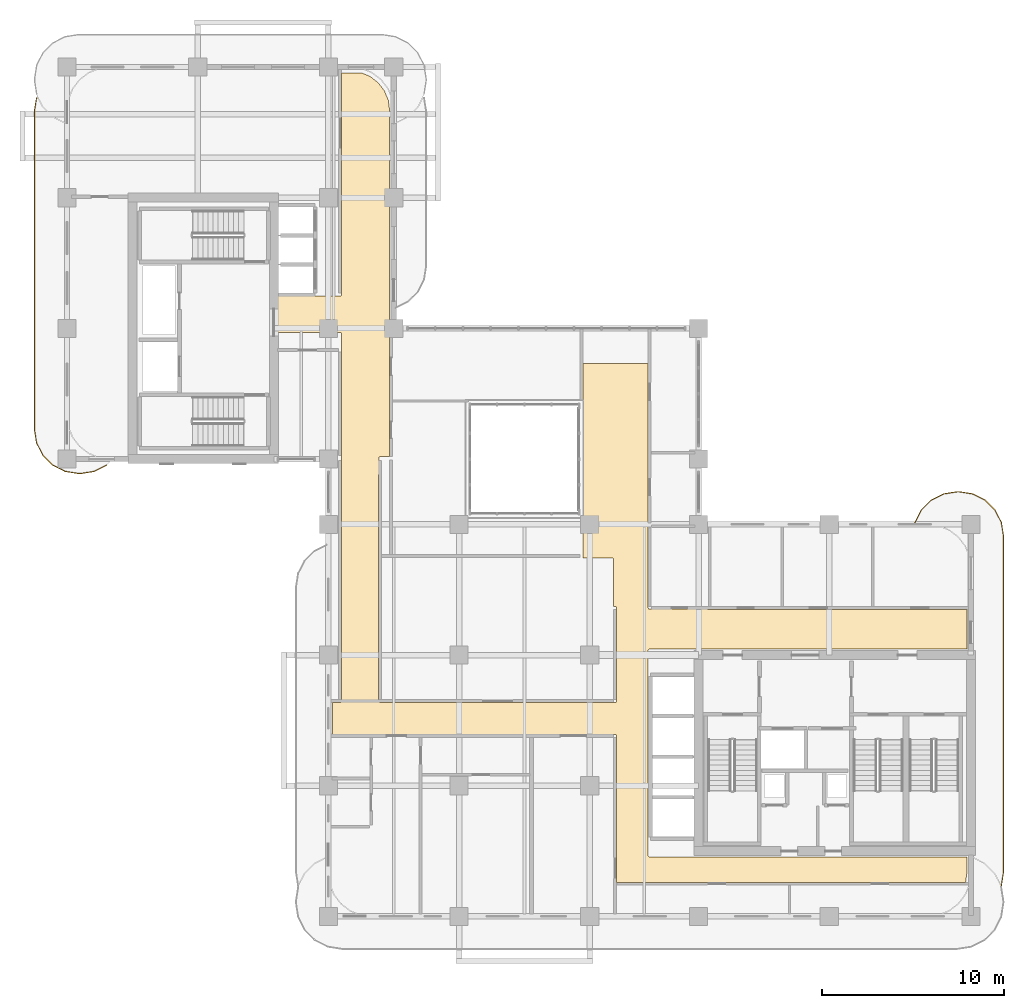
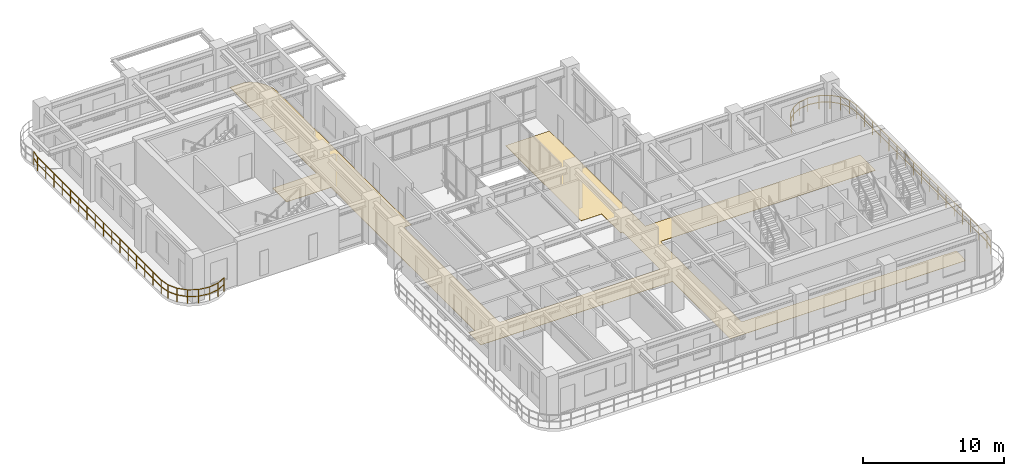
# One storey, part 18 of 19: 2 railings, 1 covering.
"""IFC4 building model written with IfcOpenShell, lengths in metres."""

from ifc_helpers import new_model, si_unit, derived_unit, direction, frame, origin, origin_2d, place, context, subcontext, project, spatial, polyline, rectangle, outline, extrude, material, layer, layer_set, type_object, element, save


model = new_model("IFC4")

# Units and contexts
model_context = context("Model", 3, precision=1e-05, world=origin(), true_north=direction((0.0, 1.0)))
body_context = subcontext(model_context, "Body", "Model", "MODEL_VIEW")
ifc_project = project(units=[si_unit("LENGTHUNIT", "METRE"), si_unit("AREAUNIT", "SQUARE_METRE"), si_unit("VOLUMEUNIT", "CUBIC_METRE"), si_unit("PLANEANGLEUNIT", "RADIAN"), si_unit("MASSUNIT", "GRAM", prefix="KILO"), si_unit("THERMODYNAMICTEMPERATUREUNIT", "KELVIN"), si_unit("POWERUNIT", "WATT"), derived_unit("THERMALTRANSMITTANCEUNIT", [(si_unit("POWERUNIT", "WATT"), 1), (si_unit("AREAUNIT", "SQUARE_METRE"), -1), (si_unit("THERMODYNAMICTEMPERATUREUNIT", "KELVIN"), -1)])], contexts=[model_context])

# Site, building, storey
site_placement = place(None, origin())
site = spatial("IfcSite", under=ifc_project, at=site_placement, CompositionType="ELEMENT")
building_placement = place(site_placement, origin())
building = spatial("IfcBuilding", under=site, at=building_placement, Name="Zahravan Archway Hotel and Residences", CompositionType="ELEMENT")
storey_placement = place(building_placement, frame((0.0, 0.0, 150.300048828125)))
storey = spatial("IfcBuildingStorey", under=building, at=storey_placement, Name="L37", CompositionType="ELEMENT", Elevation=150.300048828125)

# Covering
ifc_material_1 = material(Name="Engineered Walnut Parquet Flooring")
ifc_layer = layer(ifc_material_1, 0.02197265625, Name="Engineered Walnut Parquet Flooring")
ifc_layer_set = layer_set([ifc_layer], Name="Engineered Walnut Parquet Flooring")
covering_type = type_object("IfcCoveringType", Name="COV-FLR-TIMB", PredefinedType="FLOORING", material=ifc_layer_set)
covering_placement = place(storey_placement, origin())
element("IfcCovering", 1, at=covering_placement, inside=storey, type_object=covering_type, Name="L37 Circulation Floor Finish", PredefinedType="FLOORING", context=body_context, shape_type="SweptSolid", body=[
    extrude(outline(polyline([(32.09228515625, 14.7294921875), (32.04931640625, 14.7119140625), (32.0234375, 14.673095703125), (32.02001953125, 3.35009765625), (32.033447265625, 3.3056640625), (32.0693359375, 3.276123046875), (49.580078125, 3.27001953125), (49.580078125, 2.414306640625), (49.509521484375, 1.8798828125), (30.280029296875, 1.8798828125), (30.280029296875, 9.949951171875), (30.2666015625, 9.994384765625), (30.230712890625, 10.02392578125), (14.6201171875, 10.030029296875), (14.6201171875, 11.7900390625), (15.050048828125, 11.7900390625), (15.094482421875, 11.803466796875), (15.123779296875, 11.83935546875), (15.1298828125, 32.10009765625), (15.116455078125, 32.144287109375), (15.08056640625, 32.173828125), (11.530029296875, 32.179931640625), (11.530029296875, 34.169921875), (15.050048828125, 34.169921875), (15.094482421875, 34.18359375), (15.123779296875, 34.219482421875), (15.1298828125, 46.469970703125), (16.24560546875, 46.469970703125), (16.689208984375, 46.286376953125), (17.14013671875, 45.940185546875), (17.486328125, 45.489013671875), (17.703857421875, 44.9638671875), (17.77001953125, 44.46142578125), (17.77001953125, 25.330078125), (17.25, 25.330078125), (17.20556640625, 25.31640625), (17.176025390625, 25.280517578125), (17.169921875, 11.8701171875), (17.18359375, 11.82568359375), (17.219482421875, 11.796142578125), (30.199951171875, 11.7900390625), (30.244384765625, 11.803466796875), (30.27392578125, 11.83935546875), (30.280029296875, 17.0), (30.2666015625, 17.04443359375), (30.230712890625, 17.073974609375), (30.10009765625, 17.080078125), (30.10009765625, 19.719970703125), (30.072998046875, 19.75), (28.429931640625, 19.75), (28.429931640625, 30.469970703125), (32.02001953125, 30.469970703125), (32.02001953125, 17.0), (32.033447265625, 16.95556640625), (32.0693359375, 16.926025390625), (49.580078125, 16.919921875), (49.580078125, 14.72998046875), (32.10009765625, 14.72998046875), (32.09228515625, 14.7294921875)])), origin(), (0.0, 0.0, 1.0), 0.02197265625),
])

# Railings
ifc_material_2 = material(Name="Bronze & Laminated Glass Balustrade", Category="glass")
railing_type = type_object("IfcRailingType", Name="RL-BAL-1200", PredefinedType="BALUSTRADE", material=ifc_material_2)
railing_1_placement = place(storey_placement, frame((46.719970703125, 21.70703125, 0.0)))
element("IfcRailing", 2, at=railing_1_placement, inside=storey, type_object=railing_type, Name="L37 Balustrade RL-SLB-BAL-L37-EA-1", PredefinedType="BALUSTRADE", context=body_context, shape_type="SweptSolid", body=[
    extrude(rectangle(XDim=0.048095703125, YDim=0.048095703125, at=origin_2d()), frame((0.0, 0.0, 1.17578125), z_axis=(0.453825591531, 0.891090529897, 0.0), x_axis=(-0.891090529897, 0.453825591531, 0.0)), (0.0, 0.0, 1.0), 0.7666015625),
    extrude(rectangle(XDim=0.048095703125, YDim=0.048095703125, at=origin_2d()), frame((0.0, 0.0, 0.60009765625), z_axis=(0.453825591531, 0.891090529897, 0.0), x_axis=(-0.891090529897, 0.453825591531, 0.0)), (0.0, 0.0, 1.0), 0.7666015625),
    extrude(rectangle(XDim=0.048095703125, YDim=0.048095703125, at=origin_2d()), frame((0.347900390625, 0.68310546875, 1.17578125), z_axis=(0.707106781187, 0.707106781187, 0.0), x_axis=(-0.707106781187, 0.707106781187, 0.0)), (0.0, 0.0, 1.0), 0.7666015625),
    extrude(rectangle(XDim=0.048095703125, YDim=0.048095703125, at=origin_2d()), frame((0.347900390625, 0.68310546875, 0.60009765625), z_axis=(0.707106781187, 0.707106781187, 0.0), x_axis=(-0.707106781187, 0.707106781187, 0.0)), (0.0, 0.0, 1.0), 0.7666015625),
    extrude(rectangle(XDim=0.048095703125, YDim=0.048095703125, at=origin_2d()), frame((0.889892578125, 1.22509765625, 1.17578125), z_axis=(0.891090529897, 0.453825591531, 0.0), x_axis=(-0.453825591531, 0.891090529897, 0.0)), (0.0, 0.0, 1.0), 0.7666015625),
    extrude(rectangle(XDim=0.048095703125, YDim=0.048095703125, at=origin_2d()), frame((0.889892578125, 1.22509765625, 0.60009765625), z_axis=(0.891090529897, 0.453825591531, 0.0), x_axis=(-0.453825591531, 0.891090529897, 0.0)), (0.0, 0.0, 1.0), 0.7666015625),
    extrude(rectangle(XDim=0.048095703125, YDim=0.048095703125, at=origin_2d()), frame((1.572998046875, 1.572998046875, 1.17578125), z_axis=(0.987695728695, 0.156387811283, 0.0), x_axis=(-0.156387811283, 0.987695728695, 0.0)), (0.0, 0.0, 1.0), 0.7666015625),
    extrude(rectangle(XDim=0.048095703125, YDim=0.048095703125, at=origin_2d()), frame((1.572998046875, 1.572998046875, 0.60009765625), z_axis=(0.987695728695, 0.156387811283, 0.0), x_axis=(-0.156387811283, 0.987695728695, 0.0)), (0.0, 0.0, 1.0), 0.7666015625),
    extrude(rectangle(XDim=0.048095703125, YDim=0.048095703125, at=origin_2d()), frame((2.330078125, 1.69287109375, 1.17578125), z_axis=(1.0, 0.0, 0.0), x_axis=(0.0, 1.0, 0.0)), (0.0, 0.0, 1.0), 0.099853515625),
    extrude(rectangle(XDim=0.048095703125, YDim=0.048095703125, at=origin_2d()), frame((2.330078125, 1.69287109375, 0.60009765625), z_axis=(1.0, 0.0, 0.0), x_axis=(0.0, 1.0, 0.0)), (0.0, 0.0, 1.0), 0.099853515625),
    extrude(rectangle(XDim=0.048095703125, YDim=0.048095703125, at=origin_2d()), frame((2.429931640625, 1.69287109375, 1.17578125), z_axis=(0.987695728695, -0.156387811283, 0.0), x_axis=(0.156387811283, 0.987695728695, 0.0)), (0.0, 0.0, 1.0), 0.7666015625),
    extrude(rectangle(XDim=0.048095703125, YDim=0.048095703125, at=origin_2d()), frame((2.429931640625, 1.69287109375, 0.60009765625), z_axis=(0.987695728695, -0.156387811283, 0.0), x_axis=(0.156387811283, 0.987695728695, 0.0)), (0.0, 0.0, 1.0), 0.7666015625),
    extrude(rectangle(XDim=0.048095703125, YDim=0.048095703125, at=origin_2d()), frame((3.18701171875, 1.572998046875, 1.17578125), z_axis=(0.891090529897, -0.453825591531, 0.0), x_axis=(0.453825591531, 0.891090529897, 0.0)), (0.0, 0.0, 1.0), 0.7666015625),
    extrude(rectangle(XDim=0.048095703125, YDim=0.048095703125, at=origin_2d()), frame((3.18701171875, 1.572998046875, 0.60009765625), z_axis=(0.891090529897, -0.453825591531, 0.0), x_axis=(0.453825591531, 0.891090529897, 0.0)), (0.0, 0.0, 1.0), 0.7666015625),
    extrude(rectangle(XDim=0.048095703125, YDim=0.048095703125, at=origin_2d()), frame((3.8701171875, 1.22509765625, 1.17578125), z_axis=(0.707106781187, -0.707106781187, 0.0), x_axis=(0.707106781187, 0.707106781187, 0.0)), (0.0, 0.0, 1.0), 0.7666015625),
    extrude(rectangle(XDim=0.048095703125, YDim=0.048095703125, at=origin_2d()), frame((3.8701171875, 1.22509765625, 0.60009765625), z_axis=(0.707106781187, -0.707106781187, 0.0), x_axis=(0.707106781187, 0.707106781187, 0.0)), (0.0, 0.0, 1.0), 0.7666015625),
    extrude(rectangle(XDim=0.048095703125, YDim=0.048095703125, at=origin_2d()), frame((4.412109375, 0.68310546875, 1.17578125), z_axis=(0.453825591531, -0.891090529897, 0.0), x_axis=(0.891090529897, 0.453825591531, 0.0)), (0.0, 0.0, 1.0), 0.7666015625),
    extrude(rectangle(XDim=0.048095703125, YDim=0.048095703125, at=origin_2d()), frame((4.412109375, 0.68310546875, 0.60009765625), z_axis=(0.453825591531, -0.891090529897, 0.0), x_axis=(0.891090529897, 0.453825591531, 0.0)), (0.0, 0.0, 1.0), 0.7666015625),
    extrude(rectangle(XDim=0.048095703125, YDim=0.048095703125, at=origin_2d()), frame((4.760009765625, 0.0, 1.17578125), z_axis=(0.156698507018, -0.987646484274, 0.0), x_axis=(0.987646484274, 0.156698507018, 0.0)), (0.0, 0.0, 1.0), 0.7666015625),
    extrude(rectangle(XDim=0.048095703125, YDim=0.048095703125, at=origin_2d()), frame((4.760009765625, 0.0, 0.60009765625), z_axis=(0.156698507018, -0.987646484274, 0.0), x_axis=(0.987646484274, 0.156698507018, 0.0)), (0.0, 0.0, 1.0), 0.7666015625),
    extrude(rectangle(XDim=0.048095703125, YDim=0.048095703125, at=origin_2d()), frame((4.880126953125, -0.757080078125, 1.17578125), z_axis=(0.0, -1.0, 0.0), x_axis=(1.0, 0.0, 0.0)), (0.0, 0.0, 1.0), 18.5),
    extrude(rectangle(XDim=0.048095703125, YDim=0.048095703125, at=origin_2d()), frame((4.880126953125, -0.757080078125, 0.60009765625), z_axis=(0.0, -1.0, 0.0), x_axis=(1.0, 0.0, 0.0)), (0.0, 0.0, 1.0), 18.5),
    extrude(rectangle(XDim=0.048095703125, YDim=0.048095703125, at=origin_2d()), frame((4.880126953125, -19.257080078125, 1.17578125), z_axis=(-0.156698507018, -0.987646484274, 0.0), x_axis=(0.987646484274, -0.156698507018, 0.0)), (0.0, 0.0, 1.0), 0.7666015625),
    extrude(rectangle(XDim=0.048095703125, YDim=0.048095703125, at=origin_2d()), frame((4.880126953125, -19.257080078125, 0.60009765625), z_axis=(-0.156698507018, -0.987646484274, 0.0), x_axis=(0.987646484274, -0.156698507018, 0.0)), (0.0, 0.0, 1.0), 0.7666015625),
    extrude(rectangle(XDim=0.0419921875, YDim=0.0419921875, at=origin_2d()), origin(), (0.0, 0.0, 1.0), 1.15185546875),
    extrude(rectangle(XDim=0.0419921875, YDim=0.0419921875, at=origin_2d()), frame((0.347900390625, 0.68310546875, 0.0)), (0.0, 0.0, 1.0), 1.15185546875),
    extrude(rectangle(XDim=0.0419921875, YDim=0.0419921875, at=origin_2d()), frame((0.889892578125, 1.22509765625, 0.0)), (0.0, 0.0, 1.0), 1.15185546875),
    extrude(rectangle(XDim=0.0419921875, YDim=0.0419921875, at=origin_2d()), frame((1.572998046875, 1.572998046875, 0.0)), (0.0, 0.0, 1.0), 1.15185546875),
    extrude(rectangle(XDim=0.0419921875, YDim=0.0419921875, at=origin_2d()), frame((2.330078125, 1.69287109375, 0.0)), (0.0, 0.0, 1.0), 1.15185546875),
    extrude(rectangle(XDim=0.0419921875, YDim=0.0419921875, at=origin_2d()), frame((3.18701171875, 1.572998046875, 0.0)), (0.0, 0.0, 1.0), 1.15185546875),
    extrude(rectangle(XDim=0.0419921875, YDim=0.0419921875, at=origin_2d()), frame((3.8701171875, 1.22509765625, 0.0)), (0.0, 0.0, 1.0), 1.15185546875),
    extrude(rectangle(XDim=0.0419921875, YDim=0.0419921875, at=origin_2d()), frame((4.412109375, 0.68310546875, 0.0)), (0.0, 0.0, 1.0), 1.15185546875),
    extrude(rectangle(XDim=0.0419921875, YDim=0.0419921875, at=origin_2d()), frame((4.760009765625, 0.0, 0.0)), (0.0, 0.0, 1.0), 1.15185546875),
    extrude(rectangle(XDim=0.0419921875, YDim=0.0419921875, at=origin_2d()), frame((4.880126953125, -0.757080078125, 0.0)), (0.0, 0.0, 1.0), 1.15185546875),
    extrude(rectangle(XDim=0.0419921875, YDim=0.0419921875, at=origin_2d()), frame((4.880126953125, -1.913330078125, 0.0)), (0.0, 0.0, 1.0), 1.15185546875),
    extrude(rectangle(XDim=0.0419921875, YDim=0.0419921875, at=origin_2d()), frame((4.880126953125, -3.069580078125, 0.0)), (0.0, 0.0, 1.0), 1.15185546875),
    extrude(rectangle(XDim=0.0419921875, YDim=0.0419921875, at=origin_2d()), frame((4.880126953125, -4.225830078125, 0.0)), (0.0, 0.0, 1.0), 1.15185546875),
    extrude(rectangle(XDim=0.0419921875, YDim=0.0419921875, at=origin_2d()), frame((4.880126953125, -5.382080078125, 0.0)), (0.0, 0.0, 1.0), 1.15185546875),
    extrude(rectangle(XDim=0.0419921875, YDim=0.0419921875, at=origin_2d()), frame((4.880126953125, -6.538330078125, 0.0)), (0.0, 0.0, 1.0), 1.15185546875),
    extrude(rectangle(XDim=0.0419921875, YDim=0.0419921875, at=origin_2d()), frame((4.880126953125, -7.694580078125, 0.0)), (0.0, 0.0, 1.0), 1.15185546875),
    extrude(rectangle(XDim=0.0419921875, YDim=0.0419921875, at=origin_2d()), frame((4.880126953125, -8.850830078125, 0.0)), (0.0, 0.0, 1.0), 1.15185546875),
    extrude(rectangle(XDim=0.0419921875, YDim=0.0419921875, at=origin_2d()), frame((4.880126953125, -10.007080078125, 0.0)), (0.0, 0.0, 1.0), 1.15185546875),
    extrude(rectangle(XDim=0.0419921875, YDim=0.0419921875, at=origin_2d()), frame((4.880126953125, -11.163330078125, 0.0)), (0.0, 0.0, 1.0), 1.15185546875),
    extrude(rectangle(XDim=0.0419921875, YDim=0.0419921875, at=origin_2d()), frame((4.880126953125, -12.319580078125, 0.0)), (0.0, 0.0, 1.0), 1.15185546875),
    extrude(rectangle(XDim=0.0419921875, YDim=0.0419921875, at=origin_2d()), frame((4.880126953125, -13.475830078125, 0.0)), (0.0, 0.0, 1.0), 1.15185546875),
    extrude(rectangle(XDim=0.0419921875, YDim=0.0419921875, at=origin_2d()), frame((4.880126953125, -14.632080078125, 0.0)), (0.0, 0.0, 1.0), 1.15185546875),
    extrude(rectangle(XDim=0.0419921875, YDim=0.0419921875, at=origin_2d()), frame((4.880126953125, -15.788330078125, 0.0)), (0.0, 0.0, 1.0), 1.15185546875),
    extrude(rectangle(XDim=0.0419921875, YDim=0.0419921875, at=origin_2d()), frame((4.880126953125, -16.944580078125, 0.0)), (0.0, 0.0, 1.0), 1.15185546875),
    extrude(rectangle(XDim=0.0419921875, YDim=0.0419921875, at=origin_2d()), frame((4.880126953125, -18.100830078125, 0.0)), (0.0, 0.0, 1.0), 1.15185546875),
    extrude(rectangle(XDim=0.0419921875, YDim=0.0419921875, at=origin_2d()), frame((4.880126953125, -19.257080078125, 0.0)), (0.0, 0.0, 1.0), 1.15185546875),
    extrude(rectangle(XDim=0.0419921875, YDim=0.0419921875, at=origin_2d()), frame((4.760009765625, -20.01416015625, 0.0)), (0.0, 0.0, 1.0), 1.15185546875),
])
railing_2_placement = place(storey_placement, frame((2.190185546875, 24.867919921875, 0.0)))
element("IfcRailing", 3, at=railing_2_placement, inside=storey, type_object=railing_type, Name="L37 Balustrade RL-SLB-BAL-L37-WB-1", PredefinedType="BALUSTRADE", context=body_context, shape_type="SweptSolid", body=[
    extrude(rectangle(XDim=0.048095703125, YDim=0.048095703125, at=origin_2d()), frame((0.0, 0.0, 1.17578125), z_axis=(-0.891090529897, -0.453825591531, 0.0), x_axis=(0.453825591531, -0.891090529897, 0.0)), (0.0, 0.0, 1.0), 0.7666015625),
    extrude(rectangle(XDim=0.048095703125, YDim=0.048095703125, at=origin_2d()), frame((0.0, 0.0, 0.60009765625), z_axis=(-0.891090529897, -0.453825591531, 0.0), x_axis=(0.453825591531, -0.891090529897, 0.0)), (0.0, 0.0, 1.0), 0.7666015625),
    extrude(rectangle(XDim=0.048095703125, YDim=0.048095703125, at=origin_2d()), frame((-0.68310546875, -0.347900390625, 1.17578125), z_axis=(-0.987646484274, -0.156698507018, 0.0), x_axis=(0.156698507018, -0.987646484274, 0.0)), (0.0, 0.0, 1.0), 0.7666015625),
    extrude(rectangle(XDim=0.048095703125, YDim=0.048095703125, at=origin_2d()), frame((-0.68310546875, -0.347900390625, 0.60009765625), z_axis=(-0.987646484274, -0.156698507018, 0.0), x_axis=(0.156698507018, -0.987646484274, 0.0)), (0.0, 0.0, 1.0), 0.7666015625),
    extrude(rectangle(XDim=0.048095703125, YDim=0.048095703125, at=origin_2d()), frame((-1.440185546875, -0.468017578125, 1.17578125), z_axis=(-1.0, 0.0, 0.0), x_axis=(0.0, -1.0, 0.0)), (0.0, 0.0, 1.0), 0.10009765625),
    extrude(rectangle(XDim=0.048095703125, YDim=0.048095703125, at=origin_2d()), frame((-1.440185546875, -0.468017578125, 0.60009765625), z_axis=(-1.0, 0.0, 0.0), x_axis=(0.0, -1.0, 0.0)), (0.0, 0.0, 1.0), 0.10009765625),
    extrude(rectangle(XDim=0.048095703125, YDim=0.048095703125, at=origin_2d()), frame((-1.540283203125, -0.468017578125, 1.17578125), z_axis=(-0.987646484274, 0.156698507018, 0.0), x_axis=(-0.156698507018, -0.987646484274, 0.0)), (0.0, 0.0, 1.0), 0.7666015625),
    extrude(rectangle(XDim=0.048095703125, YDim=0.048095703125, at=origin_2d()), frame((-1.540283203125, -0.468017578125, 0.60009765625), z_axis=(-0.987646484274, 0.156698507018, 0.0), x_axis=(-0.156698507018, -0.987646484274, 0.0)), (0.0, 0.0, 1.0), 0.7666015625),
    extrude(rectangle(XDim=0.048095703125, YDim=0.048095703125, at=origin_2d()), frame((-2.29736328125, -0.347900390625, 1.17578125), z_axis=(-0.891024909783, 0.453954414172, 0.0), x_axis=(-0.453954414172, -0.891024909783, 0.0)), (0.0, 0.0, 1.0), 0.766357421875),
    extrude(rectangle(XDim=0.048095703125, YDim=0.048095703125, at=origin_2d()), frame((-2.29736328125, -0.347900390625, 0.60009765625), z_axis=(-0.891024909783, 0.453954414172, 0.0), x_axis=(-0.453954414172, -0.891024909783, 0.0)), (0.0, 0.0, 1.0), 0.766357421875),
    extrude(rectangle(XDim=0.048095703125, YDim=0.048095703125, at=origin_2d()), frame((-2.980224609375, 0.0, 1.17578125), z_axis=(-0.707106781187, 0.707106781187, 0.0), x_axis=(-0.707106781187, -0.707106781187, 0.0)), (0.0, 0.0, 1.0), 0.7666015625),
    extrude(rectangle(XDim=0.048095703125, YDim=0.048095703125, at=origin_2d()), frame((-2.980224609375, 0.0, 0.60009765625), z_axis=(-0.707106781187, 0.707106781187, 0.0), x_axis=(-0.707106781187, -0.707106781187, 0.0)), (0.0, 0.0, 1.0), 0.7666015625),
    extrude(rectangle(XDim=0.048095703125, YDim=0.048095703125, at=origin_2d()), frame((-3.522216796875, 0.5419921875, 1.17578125), z_axis=(-0.454078418624, 0.890961721815, 0.0), x_axis=(-0.890961721815, -0.454078418624, 0.0)), (0.0, 0.0, 1.0), 0.7666015625),
    extrude(rectangle(XDim=0.048095703125, YDim=0.048095703125, at=origin_2d()), frame((-3.522216796875, 0.5419921875, 0.60009765625), z_axis=(-0.454078418624, 0.890961721815, 0.0), x_axis=(-0.890961721815, -0.454078418624, 0.0)), (0.0, 0.0, 1.0), 0.7666015625),
    extrude(rectangle(XDim=0.048095703125, YDim=0.048095703125, at=origin_2d()), frame((-3.870361328125, 1.22509765625, 1.17578125), z_axis=(-0.156387811283, 0.987695728695, 0.0), x_axis=(-0.987695728695, -0.156387811283, 0.0)), (0.0, 0.0, 1.0), 0.7666015625),
    extrude(rectangle(XDim=0.048095703125, YDim=0.048095703125, at=origin_2d()), frame((-3.870361328125, 1.22509765625, 0.60009765625), z_axis=(-0.156387811283, 0.987695728695, 0.0), x_axis=(-0.987695728695, -0.156387811283, 0.0)), (0.0, 0.0, 1.0), 0.7666015625),
    extrude(rectangle(XDim=0.048095703125, YDim=0.048095703125, at=origin_2d()), frame((-3.990234375, 1.982177734375, 1.17578125), z_axis=(0.0, 1.0, 0.0), x_axis=(-1.0, 0.0, 0.0)), (0.0, 0.0, 1.0), 17.5),
    extrude(rectangle(XDim=0.048095703125, YDim=0.048095703125, at=origin_2d()), frame((-3.990234375, 1.982177734375, 0.60009765625), z_axis=(0.0, 1.0, 0.0), x_axis=(-1.0, 0.0, 0.0)), (0.0, 0.0, 1.0), 17.5),
    extrude(rectangle(XDim=0.048095703125, YDim=0.048095703125, at=origin_2d()), frame((-3.990234375, 19.482177734375, 1.17578125), z_axis=(0.156387811283, 0.987695728695, 0.0), x_axis=(-0.987695728695, 0.156387811283, 0.0)), (0.0, 0.0, 1.0), 0.7666015625),
    extrude(rectangle(XDim=0.048095703125, YDim=0.048095703125, at=origin_2d()), frame((-3.990234375, 19.482177734375, 0.60009765625), z_axis=(0.156387811283, 0.987695728695, 0.0), x_axis=(-0.987695728695, 0.156387811283, 0.0)), (0.0, 0.0, 1.0), 0.7666015625),
    extrude(rectangle(XDim=0.0419921875, YDim=0.0419921875, at=origin_2d()), origin(), (0.0, 0.0, 1.0), 1.15185546875),
    extrude(rectangle(XDim=0.0419921875, YDim=0.0419921875, at=origin_2d()), frame((-0.68310546875, -0.347900390625, 0.0)), (0.0, 0.0, 1.0), 1.15185546875),
    extrude(rectangle(XDim=0.0419921875, YDim=0.0419921875, at=origin_2d()), frame((-1.440185546875, -0.468017578125, 0.0)), (0.0, 0.0, 1.0), 1.15185546875),
    extrude(rectangle(XDim=0.0419921875, YDim=0.0419921875, at=origin_2d()), frame((-2.29736328125, -0.347900390625, 0.0)), (0.0, 0.0, 1.0), 1.15185546875),
    extrude(rectangle(XDim=0.0419921875, YDim=0.0419921875, at=origin_2d()), frame((-2.980224609375, 0.0, 0.0)), (0.0, 0.0, 1.0), 1.15185546875),
    extrude(rectangle(XDim=0.0419921875, YDim=0.0419921875, at=origin_2d()), frame((-3.522216796875, 0.5419921875, 0.0)), (0.0, 0.0, 1.0), 1.15185546875),
    extrude(rectangle(XDim=0.0419921875, YDim=0.0419921875, at=origin_2d()), frame((-3.870361328125, 1.22509765625, 0.0)), (0.0, 0.0, 1.0), 1.15185546875),
    extrude(rectangle(XDim=0.0419921875, YDim=0.0419921875, at=origin_2d()), frame((-3.990234375, 1.982177734375, 0.0)), (0.0, 0.0, 1.0), 1.15185546875),
    extrude(rectangle(XDim=0.0419921875, YDim=0.0419921875, at=origin_2d()), frame((-3.990234375, 3.14892578125, 0.0)), (0.0, 0.0, 1.0), 1.15185546875),
    extrude(rectangle(XDim=0.0419921875, YDim=0.0419921875, at=origin_2d()), frame((-3.990234375, 4.3154296875, 0.0)), (0.0, 0.0, 1.0), 1.15185546875),
    extrude(rectangle(XDim=0.0419921875, YDim=0.0419921875, at=origin_2d()), frame((-3.990234375, 5.482177734375, 0.0)), (0.0, 0.0, 1.0), 1.15185546875),
    extrude(rectangle(XDim=0.0419921875, YDim=0.0419921875, at=origin_2d()), frame((-3.990234375, 6.64892578125, 0.0)), (0.0, 0.0, 1.0), 1.15185546875),
    extrude(rectangle(XDim=0.0419921875, YDim=0.0419921875, at=origin_2d()), frame((-3.990234375, 7.8154296875, 0.0)), (0.0, 0.0, 1.0), 1.15185546875),
    extrude(rectangle(XDim=0.0419921875, YDim=0.0419921875, at=origin_2d()), frame((-3.990234375, 8.982177734375, 0.0)), (0.0, 0.0, 1.0), 1.15185546875),
    extrude(rectangle(XDim=0.0419921875, YDim=0.0419921875, at=origin_2d()), frame((-3.990234375, 10.14892578125, 0.0)), (0.0, 0.0, 1.0), 1.15185546875),
    extrude(rectangle(XDim=0.0419921875, YDim=0.0419921875, at=origin_2d()), frame((-3.990234375, 11.3154296875, 0.0)), (0.0, 0.0, 1.0), 1.15185546875),
    extrude(rectangle(XDim=0.0419921875, YDim=0.0419921875, at=origin_2d()), frame((-3.990234375, 12.482177734375, 0.0)), (0.0, 0.0, 1.0), 1.15185546875),
    extrude(rectangle(XDim=0.0419921875, YDim=0.0419921875, at=origin_2d()), frame((-3.990234375, 13.64892578125, 0.0)), (0.0, 0.0, 1.0), 1.15185546875),
    extrude(rectangle(XDim=0.0419921875, YDim=0.0419921875, at=origin_2d()), frame((-3.990234375, 14.8154296875, 0.0)), (0.0, 0.0, 1.0), 1.15185546875),
    extrude(rectangle(XDim=0.0419921875, YDim=0.0419921875, at=origin_2d()), frame((-3.990234375, 15.982177734375, 0.0)), (0.0, 0.0, 1.0), 1.15185546875),
    extrude(rectangle(XDim=0.0419921875, YDim=0.0419921875, at=origin_2d()), frame((-3.990234375, 17.14892578125, 0.0)), (0.0, 0.0, 1.0), 1.15185546875),
    extrude(rectangle(XDim=0.0419921875, YDim=0.0419921875, at=origin_2d()), frame((-3.990234375, 18.3154296875, 0.0)), (0.0, 0.0, 1.0), 1.15185546875),
    extrude(rectangle(XDim=0.0419921875, YDim=0.0419921875, at=origin_2d()), frame((-3.990234375, 19.482177734375, 0.0)), (0.0, 0.0, 1.0), 1.15185546875),
    extrude(rectangle(XDim=0.0419921875, YDim=0.0419921875, at=origin_2d()), frame((-3.870361328125, 20.2392578125, 0.0)), (0.0, 0.0, 1.0), 1.15185546875),
])

save(model, "model.ifc")
